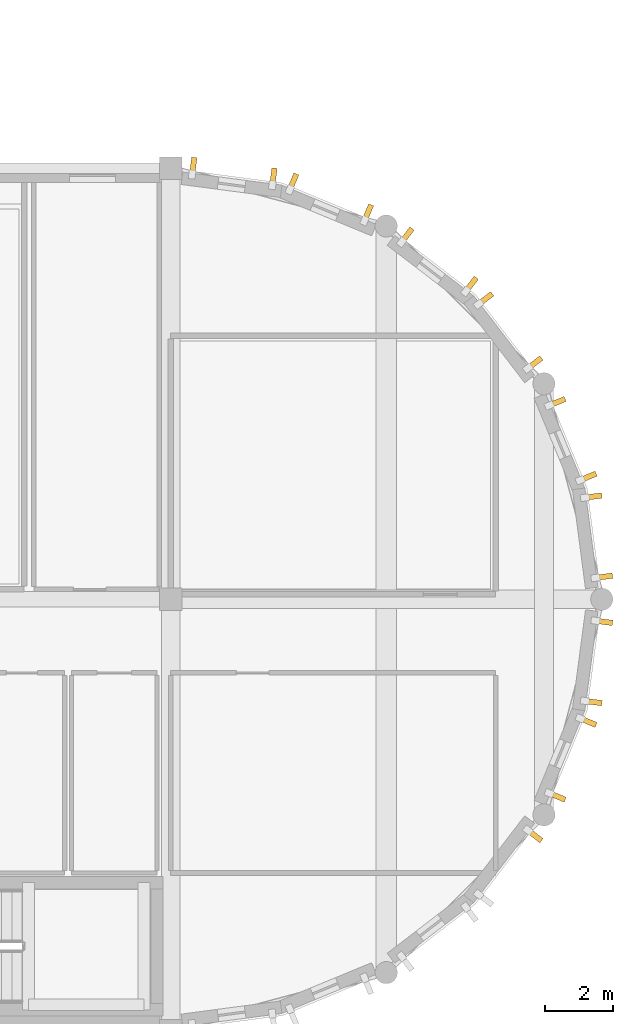
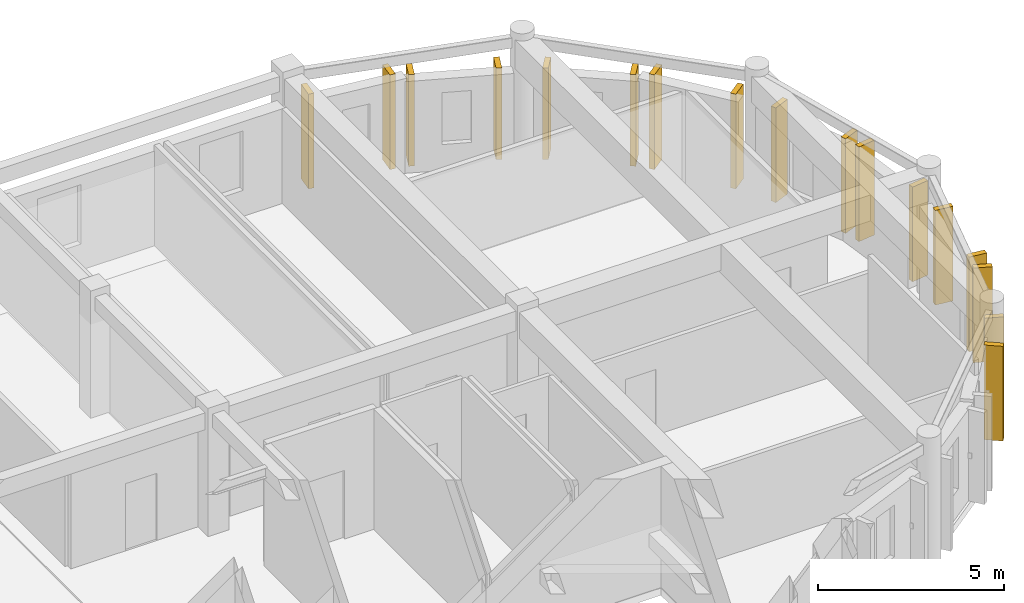
# One storey, part 29 of 29: 17 coverings.
"""IFC4 building model written with IfcOpenShell, lengths in metres."""

import ifcopenshell
import ifcopenshell.guid

model = None  # the IFC model being written
_history = None  # IfcOwnerHistory: only IFC2X3 demands one
_inside = {}  # id of a spatial element -> (the spatial element, [elements in it])
_under = {}  # id of a project, library or spatial element -> (it, [spatial elements below it])
_declared = {}  # id of a project -> (the project, [libraries it declares])
_typed = {}  # id of a type object -> (the type object, [elements of that type])
_made_of = {}  # id of a material, layer set ... -> (it, [elements and type objects made of it])


def new_model(schema):
    """Start an empty IFC model of exactly this schema.

    Asked for "IFC4X3", IfcOpenShell would pick the latest addendum, in which some entities
    have other attributes; the version numbers below select the first issue.
    IFC2X3 requires an IfcOwnerHistory on every rooted entity: one is made here for all.
    """
    global model, _history
    if schema == "IFC4X3":
        model = ifcopenshell.file(schema_version=(4, 3, 0, 0))
    else:
        model = ifcopenshell.file(schema=schema)
    _inside.clear()
    _under.clear()
    _declared.clear()
    _typed.clear()
    _made_of.clear()
    _history = None
    if model.schema == "IFC2X3":
        org = make("IfcOrganization", Name="unknown")
        user = make(
            "IfcPersonAndOrganization",
            ThePerson=make("IfcPerson", FamilyName="unknown"),
            TheOrganization=org,
        )
        app = make(
            "IfcApplication",
            ApplicationDeveloper=org,
            Version="unknown",
            ApplicationFullName="unknown",
            ApplicationIdentifier="unknown",
        )
        _history = make(
            "IfcOwnerHistory",
            OwningUser=user,
            OwningApplication=app,
            ChangeAction="ADDED",
            CreationDate=0,
        )
    return model


def make(cls, **values):
    """One entity of the class cls with the attributes given. An attribute that is None is left unset."""
    return model.create_entity(
        cls, **{name: value for name, value in values.items() if value is not None}
    )


def rooted(cls, **values):
    """An entity with a GlobalId (a new one), such as an element, a storey or a relation."""
    return make(cls, GlobalId=ifcopenshell.guid.new(), OwnerHistory=_history, **values)


def si_unit(unit_type, name, prefix=None):
    """IfcSIUnit, for example si_unit("LENGTHUNIT", "METRE", prefix="MILLI")."""
    return make("IfcSIUnit", UnitType=unit_type, Prefix=prefix, Name=name)


def assignment(units):
    """IfcUnitAssignment: the units of a project."""
    return None if units is None else make("IfcUnitAssignment", Units=units)


def point(xyz):
    """IfcCartesianPoint."""
    return None if xyz is None else make("IfcCartesianPoint", Coordinates=xyz)


def direction(xyz):
    """IfcDirection."""
    return None if xyz is None else make("IfcDirection", DirectionRatios=xyz)


def frame(location, z_axis=None, x_axis=None):
    """IfcAxis2Placement3D, a coordinate frame: its origin and axes. An axis left out is left unset."""
    return make(
        "IfcAxis2Placement3D",
        Location=point(location),
        Axis=direction(z_axis),
        RefDirection=direction(x_axis),
    )


def frame_2d(location, x_axis=None):
    """IfcAxis2Placement2D, a coordinate frame in the plane: its origin and x axis."""
    return make(
        "IfcAxis2Placement2D", Location=point(location), RefDirection=direction(x_axis)
    )


def origin():
    """The frame at (0, 0, 0) with its axes left unset."""
    return frame((0.0, 0.0, 0.0))


def origin_2d():
    """The frame at (0, 0) in the plane with its x axis left unset."""
    return frame_2d((0.0, 0.0))


def place(relative_to, where):
    """IfcLocalPlacement: puts the frame where relative to a parent placement (None: the world)."""
    return make(
        "IfcLocalPlacement", PlacementRelTo=relative_to, RelativePlacement=where
    )


def context(
    kind, dimensions, precision=None, world=None, true_north=None, identifier=None
):
    """IfcGeometricRepresentationContext, for example the 3D "Model" context."""
    return make(
        "IfcGeometricRepresentationContext",
        ContextIdentifier=identifier,
        ContextType=kind,
        CoordinateSpaceDimension=dimensions,
        Precision=precision,
        WorldCoordinateSystem=world,
        TrueNorth=true_north,
    )


def subcontext(parent, identifier, kind, view, scale=None):
    """IfcGeometricRepresentationSubContext, for example "Body" below "Model"."""
    return make(
        "IfcGeometricRepresentationSubContext",
        ContextIdentifier=identifier,
        ContextType=kind,
        ParentContext=parent,
        TargetScale=scale,
        TargetView=view,
    )


def project(units=None, contexts=None):
    """IfcProject with its units and contexts."""
    return rooted(
        "IfcProject",
        Name="project",
        RepresentationContexts=contexts,
        UnitsInContext=assignment(units),
    )


def spatial(cls, under=None, at=None, **own):
    """A site, building, storey or space (cls), placed at a placement, below another one or the project."""
    s = rooted(cls, ObjectPlacement=at, **own)
    if under is not None:
        _under.setdefault(under.id(), (under, []))[1].append(s)
    return s


def profile(cls, at=None, kind="AREA", **sizes):
    """A parametric profile (cls). Its sizes go by their IFC names, for example OverallWidth=200.0."""
    return make(cls, ProfileType=kind, Position=at, **sizes)


def rectangle(**sizes):
    """IfcRectangleProfileDef."""
    return profile("IfcRectangleProfileDef", **sizes)


def extrude(swept, where, along, depth):
    """IfcExtrudedAreaSolid: the profile swept, set in the frame where, extruded along a direction by depth."""
    return make(
        "IfcExtrudedAreaSolid",
        SweptArea=swept,
        Position=where,
        ExtrudedDirection=direction(along),
        Depth=depth,
    )


def shape(context_of_items, identifier, shape_type, items):
    """IfcShapeRepresentation: the items that make up one representation, for example the "Body"."""
    return make(
        "IfcShapeRepresentation",
        ContextOfItems=context_of_items,
        RepresentationIdentifier=identifier,
        RepresentationType=shape_type,
        Items=items,
    )


def material(Name=None, Category=None):
    """IfcMaterial."""
    return make("IfcMaterial", Name=Name, Category=Category)


def layer(
    of_material, thickness, ventilated=None, Name=None, Category=None, Priority=None
):
    """IfcMaterialLayer: one layer of a wall or slab, of a material (None: an air gap)."""
    return make(
        "IfcMaterialLayer",
        Material=of_material,
        LayerThickness=thickness,
        IsVentilated=ventilated,
        Name=Name,
        Category=Category,
        Priority=Priority,
    )


def layer_set(layers, Name=None):
    """IfcMaterialLayerSet."""
    return make("IfcMaterialLayerSet", MaterialLayers=layers, LayerSetName=Name)


def made_of(thing, what):
    """Note that an element or type object is made of a material, layer set ...; save() writes the relation."""
    if what is not None:
        _made_of.setdefault(what.id(), (what, []))[1].append(thing)
    return thing


def type_object(cls, material=None, **own):
    """A type object (cls), such as IfcWallType, which elements share."""
    return made_of(rooted(cls, **own), material)


def element(
    cls,
    number,
    at=None,
    inside=None,
    cuts=None,
    type_object=None,
    material=None,
    context=None,
    identifier="Body",
    shape_type=None,
    held_by="IfcProductDefinitionShape",
    body=None,
    shapes=None,
    **own,
):
    """One element of the class cls, such as IfcWall. Its Tag is "e" and its number.

    at: its placement. inside: the storey or other place that contains it. cuts: it is an
    opening in that element (IfcRelVoidsElement). A single representation is given by context,
    identifier, shape_type and body (its items); several are given by shapes. held_by: the class
    of the entity that holds the representations. save() writes the other relations.
    """
    e = rooted(cls, Tag="e%d" % number, ObjectPlacement=at, **own)
    if body is not None:
        shapes = [shape(context, identifier, shape_type, body)]
    if shapes is not None:
        e.Representation = make(held_by, Representations=shapes)
    if inside is not None:
        _inside.setdefault(inside.id(), (inside, []))[1].append(e)
    if cuts is not None:
        rooted(
            "IfcRelVoidsElement", RelatingBuildingElement=cuts, RelatedOpeningElement=e
        )
    if type_object is not None:
        _typed.setdefault(type_object.id(), (type_object, []))[1].append(e)
    return made_of(e, material)


def aggregate(whole, parts):
    """IfcRelAggregates: a whole, such as a stair, and the parts it consists of."""
    return rooted("IfcRelAggregates", RelatingObject=whole, RelatedObjects=parts)


def save(model, path):
    """Write the relations noted so far, then the file.

    IfcRelAggregates (storeys below a building ...), IfcRelContainedInSpatialStructure (elements
    in a storey), IfcRelDefinesByType, IfcRelAssociatesMaterial and IfcRelDeclares: one each for
    every whole, place, type object, material and project.
    """
    for whole, parts in _under.values():
        aggregate(whole, parts)
    for where, things in _inside.values():
        rooted(
            "IfcRelContainedInSpatialStructure",
            RelatedElements=things,
            RelatingStructure=where,
        )
    for kind, things in _typed.values():
        rooted("IfcRelDefinesByType", RelatedObjects=things, RelatingType=kind)
    for what, things in _made_of.values():
        rooted("IfcRelAssociatesMaterial", RelatedObjects=things, RelatingMaterial=what)
    for by, libraries in _declared.values():
        rooted("IfcRelDeclares", RelatingContext=by, RelatedDefinitions=libraries)
    model.write(path)


model = new_model("IFC4")

# Units and contexts
model_context = context("Model", 3, precision=1e-05, world=origin(), true_north=direction((0.0, 1.0)))
body_context = subcontext(model_context, "Body", "Model", "MODEL_VIEW")
ifc_project = project(units=[si_unit("LENGTHUNIT", "METRE"), si_unit("AREAUNIT", "SQUARE_METRE"), si_unit("VOLUMEUNIT", "CUBIC_METRE"), si_unit("PLANEANGLEUNIT", "RADIAN"), si_unit("MASSUNIT", "GRAM", prefix="KILO")], contexts=[model_context])

# Site, building, storey
site_placement = place(None, origin())
site = spatial("IfcSite", under=ifc_project, at=site_placement, CompositionType="ELEMENT")
building_placement = place(site_placement, origin())
building = spatial("IfcBuilding", under=site, at=building_placement, Name="Tarnavel Promenade Courthouse", CompositionType="ELEMENT")
storey_placement = place(building_placement, frame((0.0, 0.0, 22.800048828125)))
storey = spatial("IfcBuildingStorey", under=building, at=storey_placement, Name="L06", CompositionType="ELEMENT", Elevation=22.800048828125)

# Coverings
ifc_material = material(Name="Patinated Copper-Bronze Fluted Pier Cladding")
ifc_layer = layer(ifc_material, 0.52001953125)
ifc_layer_set = layer_set([ifc_layer], Name="Patinated Copper-Bronze Fluted Pier Cladding")
covering_type = type_object("IfcCoveringType", Name="Patinated Copper-Bronze Fluted Pier Cladding COV-PIER-520 (520 mm)", PredefinedType="CLADDING", material=ifc_layer_set)
for number, where, z_axis, x_axis, name in (
    (1, (112.63037109375, 84.903076171875, 0.0), (0.0, 0.0, 1.0), (0.608761429009, 0.793353340291, 0.0), "L06 E Drum Fluted Copper Pier 0206"),
    (2, (113.2880859375, 86.042236328125, 0.0), (0.0, 0.0, 1.0), (0.382683432365, 0.923879532511, 0.0), "L06 E Drum Fluted Copper Pier 0207"),
    (3, (114.19287109375, 88.2265625, 0.0), (0.0, 0.0, 1.0), (0.382683432365, 0.923879532511, 0.0), "L06 E Drum Fluted Copper Pier 0208"),
    (4, (114.345947265625, 88.798095703125, 0.0), (0.0, 0.0, 1.0), (0.13052619222, 0.991444861374, 0.0), "L06 E Drum Fluted Copper Pier 0209"),
    (5, (114.654541015625, 91.14208984375, 0.0), (0.0, 0.0, 1.0), (0.13052619222, 0.991444861374, 0.0), "L06 E Drum Fluted Copper Pier 0210"),
    (6, (114.654541015625, 92.457763671875, 0.0), (0.0, 0.0, 1.0), (-0.13052619222, 0.991444861374, 0.0), "L06 E Drum Fluted Copper Pier 0211"),
    (7, (114.345947265625, 94.8017578125, 0.0), (0.0, 0.0, 1.0), (-0.13052619222, 0.991444861374, 0.0), "L06 E Drum Fluted Copper Pier 0212"),
    (8, (114.19287109375, 95.373291015625, 0.0), (0.0, 0.0, 1.0), (-0.382683432365, 0.923879532511, 0.0), "L06 E Drum Fluted Copper Pier 0213"),
    (9, (113.2880859375, 97.5576171875, 0.0), (0.0, 0.0, 1.0), (-0.382683432365, 0.923879532511, 0.0), "L06 E Drum Fluted Copper Pier 0214"),
    (10, (112.63037109375, 98.697021484375, 0.0), (0.0, 0.0, 1.0), (-0.608761429009, 0.793353340291, 0.0), "L06 E Drum Fluted Copper Pier 0215"),
    (11, (111.191162109375, 100.572509765625, 0.0), (0.0, 0.0, 1.0), (-0.608761429009, 0.793353340291, 0.0), "L06 E Drum Fluted Copper Pier 0216"),
):
    element("IfcCovering", number, at=place(storey_placement, frame(where, z_axis=z_axis, x_axis=x_axis)), inside=storey, type_object=covering_type, Name=name, PredefinedType="CLADDING", context=body_context, shape_type="SweptSolid", body=[
        extrude(rectangle(XDim=0.159912109375, YDim=0.52001953125, at=origin_2d()), origin(), (0.0, 0.0, 1.0), 3.10009765625),
    ])
for number, where, z_axis, x_axis, name in (
    (12, (110.772705078125, 100.9912109375, 0.0), (0.0, 0.0, 1.0), (-0.793353340291, 0.608761429009, 0.0), "L06 E Drum Fluted Copper Pier 0217"),
    (13, (108.89697265625, 102.430419921875, 0.0), (0.0, 0.0, 1.0), (-0.793353340291, 0.608761429009, 0.0), "L06 E Drum Fluted Copper Pier 0218"),
    (14, (107.7578125, 103.088134765625, 0.0), (0.0, 0.0, 1.0), (-0.923879532511, 0.382683432365, 0.0), "L06 E Drum Fluted Copper Pier 0219"),
    (15, (105.573486328125, 103.992919921875, 0.0), (0.0, 0.0, 1.0), (-0.923879532511, 0.382683432365, 0.0), "L06 E Drum Fluted Copper Pier 0220"),
):
    element("IfcCovering", number, at=place(storey_placement, frame(where, z_axis=z_axis, x_axis=x_axis)), inside=storey, type_object=covering_type, Name=name, PredefinedType="CLADDING", context=body_context, shape_type="SweptSolid", body=[
        extrude(rectangle(XDim=0.159912109375, YDim=0.52001953125, at=origin_2d()), origin(), (0.0, 0.0, 1.0), 3.0),
    ])
for number, where, z_axis, x_axis, name in (
    (16, (105.001708984375, 104.14599609375, 0.0), (0.0, 0.0, 1.0), (-0.991444861374, 0.13052619222, 0.0), "L06 E Drum Fluted Copper Pier 0221"),
    (17, (102.65771484375, 104.45458984375, 0.0), (0.0, 0.0, 1.0), (-0.991444861374, 0.13052619222, 0.0), "L06 E Drum Fluted Copper Pier 0222"),
):
    element("IfcCovering", number, at=place(storey_placement, frame(where, z_axis=z_axis, x_axis=x_axis)), inside=storey, type_object=covering_type, Name=name, PredefinedType="CLADDING", context=body_context, shape_type="SweptSolid", body=[
        extrude(rectangle(XDim=0.159912109375, YDim=0.52001953125, at=origin_2d()), origin(), (0.0, 0.0, 1.0), 3.10009765625),
    ])

save(model, "model.ifc")
